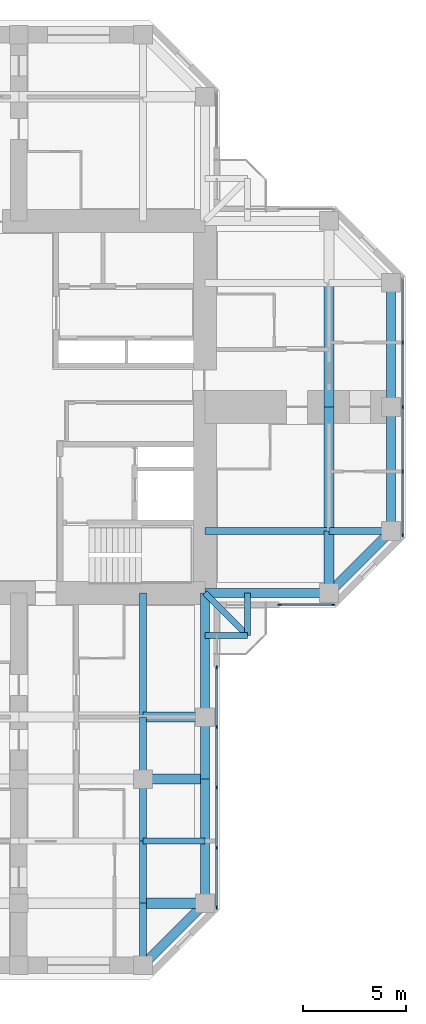
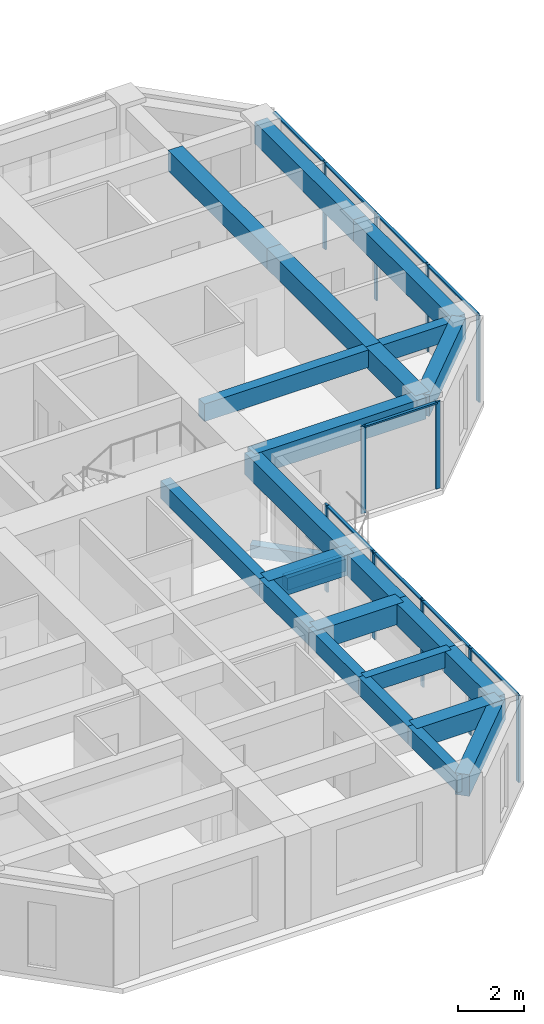
# One storey, part 4 of 14: 26 beams, 20 members, 3 elements without a shape of their own.
"""IFC4 building model written with IfcOpenShell, lengths in metres."""

from ifc_helpers import new_model, si_unit, direction, frame, origin, origin_2d, place, context, subcontext, project, spatial, rectangle, extrude, material, material_profile, profile_set, type_object, element, aggregate, save


model = new_model("IFC4")

# Units and contexts
model_context = context("Model", 3, precision=1e-05, world=origin(), true_north=direction((0.0, 1.0)))
body_context = subcontext(model_context, "Body", "Model", "MODEL_VIEW")
ifc_project = project(units=[si_unit("LENGTHUNIT", "METRE"), si_unit("AREAUNIT", "SQUARE_METRE"), si_unit("VOLUMEUNIT", "CUBIC_METRE"), si_unit("PLANEANGLEUNIT", "RADIAN"), si_unit("MASSUNIT", "GRAM", prefix="KILO")], contexts=[model_context])

# Site, building, storey
site_placement = place(None, origin())
site = spatial("IfcSite", under=ifc_project, at=site_placement, CompositionType="ELEMENT")
building_placement = place(site_placement, origin())
building = spatial("IfcBuilding", under=site, at=building_placement, Name="Torre Cruceta", CompositionType="ELEMENT")
storey_placement = place(building_placement, frame((0.0, 0.0, 172.89990234375)))
storey = spatial("IfcBuildingStorey", under=building, at=storey_placement, Name="L42", CompositionType="ELEMENT", Elevation=172.89990234375)

# Beams
ifc_material_1 = material(Name="Concrete G60 (fck 60 MPa)", Category="concrete")
ifc_material_profile_1 = material_profile(ifc_material_1, rectangle(XDim=0.300048828125, YDim=0.449951171875, at=origin_2d()), Name="RC 300X450")
ifc_profile_set_1 = profile_set([ifc_material_profile_1], Name="Concrete G60 (fck 60 MPa)")
beam_type_1 = type_object("IfcBeamType", Name="BALCONY CANTILEVER BEAM RC 300X450", PredefinedType="BEAM", material=ifc_profile_set_1)
beam_1_placement = place(storey_placement, frame((9.0, -9.0, -0.40478515625), z_axis=(0.707106781187, -0.707106781187, 0.0), x_axis=(0.707106781187, 0.707106781187, 0.0)))
element("IfcBeam", 1, at=beam_1_placement, inside=storey, type_object=beam_type_1, Name="BB1 balcony beam L42 S", PredefinedType="BEAM", context=body_context, shape_type="SweptSolid", body=[
    extrude(rectangle(XDim=0.300048828125, YDim=0.449951171875, at=origin_2d()), origin(), (0.0, 0.0, 1.0), 2.89990234375),
])
for number, where, z_axis, x_axis, name in (
    (2, (11.050537109375, -9.0, -0.40478515625), (0.0, -1.0, 0.0), (1.0, 0.0, 0.0), "BB1 balcony edge beam L42 S-X"),
    (3, (9.0, -11.050537109375, -0.40478515625), (1.0, 0.0, 0.0), (0.0, 1.0, 0.0), "BB1 balcony edge beam L42 S-Y"),
):
    element("IfcBeam", number, at=place(storey_placement, frame(where, z_axis=z_axis, x_axis=x_axis)), inside=storey, type_object=beam_type_1, Name=name, PredefinedType="BEAM", context=body_context, shape_type="SweptSolid", body=[
        extrude(rectangle(XDim=0.300048828125, YDim=0.449951171875, at=origin_2d()), origin(), (0.0, 0.0, 1.0), 2.050537109375),
    ])
ifc_material_2 = material(Name="Concrete G60 (fck 60 MPa)", Category="concrete")
ifc_material_profile_2 = material_profile(ifc_material_2, rectangle(XDim=0.35009765625, YDim=0.64990234375, at=origin_2d()), Name="RC 350X650")
ifc_profile_set_2 = profile_set([ifc_material_profile_2], Name="Concrete G60 (fck 60 MPa)")
beam_type_2 = type_object("IfcBeamType", Name="COLUMN LINE BEAM RC 350X650", PredefinedType="BEAM", material=ifc_profile_set_2)
beam_2_placement = place(storey_placement, frame((9.0, -6.0, 2.89501953125), z_axis=(1.0, 0.0, 0.0), x_axis=(0.0, 1.0, 0.0)))
element("IfcBeam", 4, at=beam_2_placement, inside=storey, type_object=beam_type_2, Name="LB7 L42 E col- 1", PredefinedType="BEAM", context=body_context, shape_type="SweptSolid", body=[
    extrude(rectangle(XDim=0.35009765625, YDim=0.64990234375, at=origin_2d()), origin(), (0.0, 0.0, 1.0), 6.0),
])
beam_3_placement = place(storey_placement, frame((15.0, -6.0, 2.89501953125), z_axis=(1.0, 0.0, 0.0), x_axis=(0.0, 1.0, 0.0)))
element("IfcBeam", 5, at=beam_3_placement, inside=storey, type_object=beam_type_2, Name="LB7 L42 E col- 2", PredefinedType="BEAM", context=body_context, shape_type="SweptSolid", body=[
    extrude(rectangle(XDim=0.35009765625, YDim=0.64990234375, at=origin_2d()), origin(), (0.0, 0.0, 1.0), 3.0),
])
beam_4_placement = place(storey_placement, frame((6.0, -9.0, 2.89501953125), z_axis=(0.0, -1.0, 0.0), x_axis=(1.0, 0.0, 0.0)))
element("IfcBeam", 6, at=beam_4_placement, inside=storey, type_object=beam_type_2, Name="LB7 L42 S col+ 1", PredefinedType="BEAM", context=body_context, shape_type="SweptSolid", body=[
    extrude(rectangle(XDim=0.35009765625, YDim=0.64990234375, at=origin_2d()), origin(), (0.0, 0.0, 1.0), 6.0),
])
for number, where, z_axis, x_axis, name in (
    (7, (6.0, -15.0, 2.89501953125), (0.0, -1.0, 0.0), (1.0, 0.0, 0.0), "LB7 L42 S col+ 2"),
    (8, (6.0, -18.0, 2.89501953125), (0.0, -1.0, 0.0), (1.0, 0.0, 0.0), "LB7 L42 S col+ 3"),
    (9, (6.0, -21.0, 2.89501953125), (0.0, -1.0, 0.0), (1.0, 0.0, 0.0), "LB7 L42 S col+ 4"),
    (10, (6.0, -24.0, 2.89501953125), (0.0, -1.0, 0.0), (1.0, 0.0, 0.0), "LB7 L42 S col+ 5"),
):
    element("IfcBeam", number, at=place(storey_placement, frame(where, z_axis=z_axis, x_axis=x_axis)), inside=storey, type_object=beam_type_2, Name=name, PredefinedType="BEAM", context=body_context, shape_type="SweptSolid", body=[
        extrude(rectangle(XDim=0.35009765625, YDim=0.64990234375, at=origin_2d()), origin(), (0.0, 0.0, 1.0), 3.0),
    ])
ifc_material_3 = material(Name="Concrete G60 (fck 60 MPa)", Category="concrete")
ifc_material_profile_3 = material_profile(ifc_material_3, rectangle(XDim=0.5, YDim=0.75, at=origin_2d()), Name="RC 500X750")
ifc_profile_set_3 = profile_set([ifc_material_profile_3], Name="Concrete G60 (fck 60 MPa)")
beam_type_3 = type_object("IfcBeamType", Name="CROSS BEAM RC 500X750", PredefinedType="BEAM", material=ifc_profile_set_3)
beam_5_placement = place(storey_placement, frame((15.0, -9.0, 2.84521484375), z_axis=(0.0, 1.0, 0.0), x_axis=(-1.0, 0.0, 0.0)))
element("IfcBeam", 11, at=beam_5_placement, inside=storey, type_object=beam_type_3, Name="GB6 L42 E cross15 1", PredefinedType="BEAM", context=body_context, shape_type="SweptSolid", body=[
    extrude(rectangle(XDim=0.5, YDim=0.75, at=origin_2d()), origin(), (0.0, 0.0, 1.0), 3.0),
])
for number, where, z_axis, x_axis, name in (
    (12, (15.0, -6.0, 2.84521484375), (0.0, 1.0, 0.0), (-1.0, 0.0, 0.0), "GB6 L42 E cross15 2"),
    (13, (15.0, 0.0, 2.84521484375), (0.0, 1.0, 0.0), (-1.0, 0.0, 0.0), "GB6 L42 E cross15 3"),
):
    element("IfcBeam", number, at=place(storey_placement, frame(where, z_axis=z_axis, x_axis=x_axis)), inside=storey, type_object=beam_type_3, Name=name, PredefinedType="BEAM", context=body_context, shape_type="SweptSolid", body=[
        extrude(rectangle(XDim=0.5, YDim=0.75, at=origin_2d()), origin(), (0.0, 0.0, 1.0), 6.0),
    ])
for number, where, z_axis, x_axis, name in (
    (14, (6.0, -15.0, 2.84521484375), (1.0, 0.0, 0.0), (0.0, 1.0, 0.0), "GB6 L42 S cross15 4"),
    (15, (6.0, -18.0, 2.84521484375), (1.0, 0.0, 0.0), (0.0, 1.0, 0.0), "GB6 L42 S cross18 4"),
    (16, (6.0, -24.0, 2.84521484375), (1.0, 0.0, 0.0), (0.0, 1.0, 0.0), "GB6 L42 S cross24 4"),
):
    element("IfcBeam", number, at=place(storey_placement, frame(where, z_axis=z_axis, x_axis=x_axis)), inside=storey, type_object=beam_type_3, Name=name, PredefinedType="BEAM", context=body_context, shape_type="SweptSolid", body=[
        extrude(rectangle(XDim=0.5, YDim=0.75, at=origin_2d()), origin(), (0.0, 0.0, 1.0), 3.0),
    ])

# Curtain wall, members
ifc_material_4 = material(Name="Aluminium unitised curtain wall", Category="aluminium")
curtain_wall_type = type_object("IfcCurtainWallType", Name="CURTAIN WALL CW-C CO-LIVING", PredefinedType="USERDEFINED", material=ifc_material_4)
curtain_wall_1_placement = place(storey_placement, origin())
curtain_wall_1 = element("IfcCurtainWall", 17, at=curtain_wall_1_placement, inside=storey, type_object=curtain_wall_type, Name="CW-C L42 E side 00", ObjectType="UNITISED", PredefinedType="USERDEFINED")
ifc_material_5 = material(Name="Aluminium mullion", Category="aluminium")
ifc_material_profile_4 = material_profile(ifc_material_5, rectangle(XDim=0.06005859375, YDim=0.159912109375, at=origin_2d()), Name="AL 60X160")
ifc_profile_set_4 = profile_set([ifc_material_profile_4], Name="Aluminium mullion")
member_type_1 = type_object("IfcMemberType", Name="CW-C MULLION 60X160", PredefinedType="MULLION", material=ifc_profile_set_4)
member_1_placement = place(storey_placement, frame((12.60009765625, -9.570068359375, 0.0), z_axis=(0.0, 0.0, 1.0), x_axis=(0.0, 1.0, 0.0)))
member_1 = element("IfcMember", 18, at=member_1_placement, type_object=member_type_1, Name="CW-C mullion 1", PredefinedType="MULLION", context=body_context, shape_type="SweptSolid", body=[
    extrude(rectangle(XDim=0.06005859375, YDim=0.159912109375, at=origin_2d()), origin(), (0.0, 0.0, 1.0), 3.22021484375),
])
member_2_placement = place(storey_placement, frame((15.2060546875, -9.570068359375, 0.0), z_axis=(0.0, 0.0, 1.0), x_axis=(0.0, 1.0, 0.0)))
member_2 = element("IfcMember", 19, at=member_2_placement, type_object=member_type_1, Name="CW-C mullion 2", PredefinedType="MULLION", context=body_context, shape_type="SweptSolid", body=[
    extrude(rectangle(XDim=0.06005859375, YDim=0.159912109375, at=origin_2d()), origin(), (0.0, 0.0, 1.0), 3.22021484375),
])

curtain_wall_2_placement = place(storey_placement, origin())
curtain_wall_2 = element("IfcCurtainWall", 20, at=curtain_wall_2_placement, inside=storey, type_object=curtain_wall_type, Name="CW-C L42 E tip 02", ObjectType="UNITISED", PredefinedType="USERDEFINED")
member_3_placement = place(storey_placement, frame((18.570068359375, -6.2060546875, 0.0), z_axis=(0.0, 0.0, 1.0), x_axis=(-1.0, 0.0, 0.0)))
member_3 = element("IfcMember", 21, at=member_3_placement, type_object=member_type_1, Name="CW-C mullion 1", PredefinedType="MULLION", context=body_context, shape_type="SweptSolid", body=[
    extrude(rectangle(XDim=0.06005859375, YDim=0.159912109375, at=origin_2d()), origin(), (0.0, 0.0, 1.0), 3.22021484375),
])
member_4_placement = place(storey_placement, frame((18.570068359375, -3.1181640625, 0.0), z_axis=(0.0, 0.0, 1.0), x_axis=(-1.0, 0.0, 0.0)))
member_4 = element("IfcMember", 22, at=member_4_placement, type_object=member_type_1, Name="CW-C mullion 2", PredefinedType="MULLION", context=body_context, shape_type="SweptSolid", body=[
    extrude(rectangle(XDim=0.06005859375, YDim=0.159912109375, at=origin_2d()), origin(), (0.0, 0.0, 1.0), 3.22021484375),
])
member_5_placement = place(storey_placement, frame((18.570068359375, 0.0, 0.0), z_axis=(0.0, 0.0, 1.0), x_axis=(-1.0, 0.0, 0.0)))
member_5 = element("IfcMember", 23, at=member_5_placement, type_object=member_type_1, Name="CW-C mullion 3", PredefinedType="MULLION", context=body_context, shape_type="SweptSolid", body=[
    extrude(rectangle(XDim=0.06005859375, YDim=0.159912109375, at=origin_2d()), origin(), (0.0, 0.0, 1.0), 3.22021484375),
])
member_6_placement = place(storey_placement, frame((18.570068359375, 3.1181640625, 0.0), z_axis=(0.0, 0.0, 1.0), x_axis=(-1.0, 0.0, 0.0)))
member_6 = element("IfcMember", 24, at=member_6_placement, type_object=member_type_1, Name="CW-C mullion 4", PredefinedType="MULLION", context=body_context, shape_type="SweptSolid", body=[
    extrude(rectangle(XDim=0.06005859375, YDim=0.159912109375, at=origin_2d()), origin(), (0.0, 0.0, 1.0), 3.22021484375),
])

curtain_wall_3_placement = place(storey_placement, origin())
curtain_wall_3 = element("IfcCurtainWall", 25, at=curtain_wall_3_placement, inside=storey, type_object=curtain_wall_type, Name="CW-C L42 S side 19", ObjectType="UNITISED", PredefinedType="USERDEFINED")
member_7_placement = place(storey_placement, frame((9.570068359375, -24.2060546875, 0.0), z_axis=(0.0, 0.0, 1.0), x_axis=(-1.0, 0.0, 0.0)))
member_7 = element("IfcMember", 26, at=member_7_placement, type_object=member_type_1, Name="CW-C mullion 1", PredefinedType="MULLION", context=body_context, shape_type="SweptSolid", body=[
    extrude(rectangle(XDim=0.06005859375, YDim=0.159912109375, at=origin_2d()), origin(), (0.0, 0.0, 1.0), 3.22021484375),
])
member_8_placement = place(storey_placement, frame((9.570068359375, -21.319580078125, 0.0), z_axis=(0.0, 0.0, 1.0), x_axis=(-1.0, 0.0, 0.0)))
member_8 = element("IfcMember", 27, at=member_8_placement, type_object=member_type_1, Name="CW-C mullion 2", PredefinedType="MULLION", context=body_context, shape_type="SweptSolid", body=[
    extrude(rectangle(XDim=0.06005859375, YDim=0.159912109375, at=origin_2d()), origin(), (0.0, 0.0, 1.0), 3.22021484375),
])
member_9_placement = place(storey_placement, frame((9.570068359375, -18.403076171875, 0.0), z_axis=(0.0, 0.0, 1.0), x_axis=(-1.0, 0.0, 0.0)))
member_9 = element("IfcMember", 28, at=member_9_placement, type_object=member_type_1, Name="CW-C mullion 3", PredefinedType="MULLION", context=body_context, shape_type="SweptSolid", body=[
    extrude(rectangle(XDim=0.06005859375, YDim=0.159912109375, at=origin_2d()), origin(), (0.0, 0.0, 1.0), 3.22021484375),
])
member_10_placement = place(storey_placement, frame((9.570068359375, -15.486572265625, 0.0), z_axis=(0.0, 0.0, 1.0), x_axis=(-1.0, 0.0, 0.0)))
member_10 = element("IfcMember", 29, at=member_10_placement, type_object=member_type_1, Name="CW-C mullion 4", PredefinedType="MULLION", context=body_context, shape_type="SweptSolid", body=[
    extrude(rectangle(XDim=0.06005859375, YDim=0.159912109375, at=origin_2d()), origin(), (0.0, 0.0, 1.0), 3.22021484375),
])
member_11_placement = place(storey_placement, frame((9.570068359375, -12.60009765625, 0.0), z_axis=(0.0, 0.0, 1.0), x_axis=(-1.0, 0.0, 0.0)))
member_11 = element("IfcMember", 30, at=member_11_placement, type_object=member_type_1, Name="CW-C mullion 5", PredefinedType="MULLION", context=body_context, shape_type="SweptSolid", body=[
    extrude(rectangle(XDim=0.06005859375, YDim=0.159912109375, at=origin_2d()), origin(), (0.0, 0.0, 1.0), 3.22021484375),
])

# Member
ifc_material_6 = material(Name="Aluminium transom", Category="aluminium")
ifc_material_profile_5 = material_profile(ifc_material_6, rectangle(XDim=0.10009765625, YDim=0.06005859375, at=origin_2d()), Name="AL 100X60")
ifc_profile_set_5 = profile_set([ifc_material_profile_5], Name="Aluminium transom")
member_type_2 = type_object("IfcMemberType", Name="CW-C TRANSOM 60X100", PredefinedType="USERDEFINED", material=ifc_profile_set_5)
member_12_placement = place(storey_placement, frame((12.6298828125, -9.570068359375, 3.190185546875), z_axis=(1.0, 0.0, 0.0), x_axis=(0.0, 1.0, 0.0)))
member_12 = element("IfcMember", 31, at=member_12_placement, type_object=member_type_2, Name="CW-C transom 1", ObjectType="TRANSOM", PredefinedType="USERDEFINED", context=body_context, shape_type="SweptSolid", body=[
    extrude(rectangle(XDim=0.10009765625, YDim=0.06005859375, at=origin_2d()), origin(), (0.0, 0.0, 1.0), 2.546142578125),
])

aggregate(curtain_wall_1, [member_1, member_2, member_12])

member_13_placement = place(storey_placement, frame((18.570068359375, -6.176025390625, 3.190185546875), z_axis=(0.0, 1.0, 0.0), x_axis=(-1.0, 0.0, 0.0)))
member_13 = element("IfcMember", 32, at=member_13_placement, type_object=member_type_2, Name="CW-C transom 1", ObjectType="TRANSOM", PredefinedType="USERDEFINED", context=body_context, shape_type="SweptSolid", body=[
    extrude(rectangle(XDim=0.10009765625, YDim=0.06005859375, at=origin_2d()), origin(), (0.0, 0.0, 1.0), 3.028076171875),
])

member_14_placement = place(storey_placement, frame((18.570068359375, -3.088134765625, 3.190185546875), z_axis=(0.0, 1.0, 0.0), x_axis=(-1.0, 0.0, 0.0)))
member_14 = element("IfcMember", 33, at=member_14_placement, type_object=member_type_2, Name="CW-C transom 2", ObjectType="TRANSOM", PredefinedType="USERDEFINED", context=body_context, shape_type="SweptSolid", body=[
    extrude(rectangle(XDim=0.10009765625, YDim=0.06005859375, at=origin_2d()), origin(), (0.0, 0.0, 1.0), 3.05810546875),
])

member_15_placement = place(storey_placement, frame((18.570068359375, 0.030029296875, 3.190185546875), z_axis=(0.0, 1.0, 0.0), x_axis=(-1.0, 0.0, 0.0)))
member_15 = element("IfcMember", 34, at=member_15_placement, type_object=member_type_2, Name="CW-C transom 3", ObjectType="TRANSOM", PredefinedType="USERDEFINED", context=body_context, shape_type="SweptSolid", body=[
    extrude(rectangle(XDim=0.10009765625, YDim=0.06005859375, at=origin_2d()), origin(), (0.0, 0.0, 1.0), 3.05810546875),
])

member_16_placement = place(storey_placement, frame((18.570068359375, 3.14794921875, 3.190185546875), z_axis=(0.0, 1.0, 0.0), x_axis=(-1.0, 0.0, 0.0)))
member_16 = element("IfcMember", 35, at=member_16_placement, type_object=member_type_2, Name="CW-C transom 4", ObjectType="TRANSOM", PredefinedType="USERDEFINED", context=body_context, shape_type="SweptSolid", body=[
    extrude(rectangle(XDim=0.10009765625, YDim=0.06005859375, at=origin_2d()), origin(), (0.0, 0.0, 1.0), 3.028076171875),
])

aggregate(curtain_wall_2, [member_3, member_4, member_5, member_6, member_13, member_14, member_15, member_16])

member_17_placement = place(storey_placement, frame((9.570068359375, -24.176025390625, 3.190185546875), z_axis=(0.0, 1.0, 0.0), x_axis=(-1.0, 0.0, 0.0)))
member_17 = element("IfcMember", 36, at=member_17_placement, type_object=member_type_2, Name="CW-C transom 1", ObjectType="TRANSOM", PredefinedType="USERDEFINED", context=body_context, shape_type="SweptSolid", body=[
    extrude(rectangle(XDim=0.10009765625, YDim=0.06005859375, at=origin_2d()), origin(), (0.0, 0.0, 1.0), 2.826416015625),
])

member_18_placement = place(storey_placement, frame((9.570068359375, -21.28955078125, 3.190185546875), z_axis=(0.0, 1.0, 0.0), x_axis=(-1.0, 0.0, 0.0)))
member_18 = element("IfcMember", 37, at=member_18_placement, type_object=member_type_2, Name="CW-C transom 2", ObjectType="TRANSOM", PredefinedType="USERDEFINED", context=body_context, shape_type="SweptSolid", body=[
    extrude(rectangle(XDim=0.10009765625, YDim=0.06005859375, at=origin_2d()), origin(), (0.0, 0.0, 1.0), 2.8564453125),
])

member_19_placement = place(storey_placement, frame((9.570068359375, -18.373046875, 3.190185546875), z_axis=(0.0, 1.0, 0.0), x_axis=(-1.0, 0.0, 0.0)))
member_19 = element("IfcMember", 38, at=member_19_placement, type_object=member_type_2, Name="CW-C transom 3", ObjectType="TRANSOM", PredefinedType="USERDEFINED", context=body_context, shape_type="SweptSolid", body=[
    extrude(rectangle(XDim=0.10009765625, YDim=0.06005859375, at=origin_2d()), origin(), (0.0, 0.0, 1.0), 2.8564453125),
])

member_20_placement = place(storey_placement, frame((9.570068359375, -15.45654296875, 3.190185546875), z_axis=(0.0, 1.0, 0.0), x_axis=(-1.0, 0.0, 0.0)))
member_20 = element("IfcMember", 39, at=member_20_placement, type_object=member_type_2, Name="CW-C transom 4", ObjectType="TRANSOM", PredefinedType="USERDEFINED", context=body_context, shape_type="SweptSolid", body=[
    extrude(rectangle(XDim=0.10009765625, YDim=0.06005859375, at=origin_2d()), origin(), (0.0, 0.0, 1.0), 2.82666015625),
])

aggregate(curtain_wall_3, [member_7, member_8, member_9, member_10, member_11, member_17, member_18, member_19, member_20])

# Beams
ifc_material_7 = material(Name="Concrete G60 (fck 60 MPa)", Category="concrete")
ifc_material_profile_6 = material_profile(ifc_material_7, rectangle(XDim=0.300048828125, YDim=0.60009765625, at=origin_2d()), Name="RC 300X600")
ifc_profile_set_6 = profile_set([ifc_material_profile_6], Name="Concrete G60 (fck 60 MPa)")
beam_type_4 = type_object("IfcBeamType", Name="SECONDARY BEAM RC 300X600", PredefinedType="JOIST", material=ifc_profile_set_6)
beam_6_placement = place(storey_placement, frame((6.0, -21.0, 2.920166015625), z_axis=(1.0, 0.0, 0.0), x_axis=(0.0, 1.0, 0.0)))
element("IfcBeam", 40, at=beam_6_placement, inside=storey, type_object=beam_type_4, Name="JB6 L42 S sec21 4", PredefinedType="JOIST", context=body_context, shape_type="SweptSolid", body=[
    extrude(rectangle(XDim=0.300048828125, YDim=0.60009765625, at=origin_2d()), origin(), (0.0, 0.0, 1.0), 3.0),
])
ifc_material_8 = material(Name="Concrete G60 (fck 60 MPa)", Category="concrete")
ifc_material_profile_7 = material_profile(ifc_material_8, rectangle(XDim=0.449951171875, YDim=0.800048828125, at=origin_2d()), Name="RC 450X800")
ifc_profile_set_7 = profile_set([ifc_material_profile_7], Name="Concrete G60 (fck 60 MPa)")
beam_type_5 = type_object("IfcBeamType", Name="SPANDREL BEAM RC 450X800", PredefinedType="SPANDREL", material=ifc_profile_set_7)
beam_7_placement = place(storey_placement, frame((9.0, -9.0, 2.820068359375), z_axis=(1.0, 0.0, 0.0), x_axis=(0.0, 1.0, 0.0)))
element("IfcBeam", 41, at=beam_7_placement, inside=storey, type_object=beam_type_5, Name="SB6 L42 E side- 1", PredefinedType="SPANDREL", context=body_context, shape_type="SweptSolid", body=[
    extrude(rectangle(XDim=0.449951171875, YDim=0.800048828125, at=origin_2d()), origin(), (0.0, 0.0, 1.0), 6.0),
])
beam_8_placement = place(storey_placement, frame((15.0, -9.0, 2.820068359375), z_axis=(0.707106781187, 0.707106781187, 0.0), x_axis=(-0.707106781187, 0.707106781187, 0.0)))
element("IfcBeam", 42, at=beam_8_placement, inside=storey, type_object=beam_type_5, Name="SB6 L42 E side- 2", PredefinedType="SPANDREL", context=body_context, shape_type="SweptSolid", body=[
    extrude(rectangle(XDim=0.449951171875, YDim=0.800048828125, at=origin_2d()), origin(), (0.0, 0.0, 1.0), 4.24267578125),
])
for number, where, z_axis, x_axis, name in (
    (43, (18.0, -6.0, 2.820068359375), (0.0, 1.0, 0.0), (-1.0, 0.0, 0.0), "SB6 L42 E tip 1"),
    (44, (18.0, 0.0, 2.820068359375), (0.0, 1.0, 0.0), (-1.0, 0.0, 0.0), "SB6 L42 E tip 2"),
    (45, (9.0, -9.0, 2.820068359375), (0.0, -1.0, 0.0), (1.0, 0.0, 0.0), "SB6 L42 S side+ 1"),
):
    element("IfcBeam", number, at=place(storey_placement, frame(where, z_axis=z_axis, x_axis=x_axis)), inside=storey, type_object=beam_type_5, Name=name, PredefinedType="SPANDREL", context=body_context, shape_type="SweptSolid", body=[
        extrude(rectangle(XDim=0.449951171875, YDim=0.800048828125, at=origin_2d()), origin(), (0.0, 0.0, 1.0), 6.0),
    ])
for number, where, z_axis, x_axis, name in (
    (46, (9.0, -15.0, 2.820068359375), (0.0, -1.0, 0.0), (1.0, 0.0, 0.0), "SB6 L42 S side+ 2"),
    (47, (9.0, -18.0, 2.820068359375), (0.0, -1.0, 0.0), (1.0, 0.0, 0.0), "SB6 L42 S side+ 3"),
    (48, (9.0, -21.0, 2.820068359375), (0.0, -1.0, 0.0), (1.0, 0.0, 0.0), "SB6 L42 S side+ 4"),
):
    element("IfcBeam", number, at=place(storey_placement, frame(where, z_axis=z_axis, x_axis=x_axis)), inside=storey, type_object=beam_type_5, Name=name, PredefinedType="SPANDREL", context=body_context, shape_type="SweptSolid", body=[
        extrude(rectangle(XDim=0.449951171875, YDim=0.800048828125, at=origin_2d()), origin(), (0.0, 0.0, 1.0), 3.0),
    ])
beam_9_placement = place(storey_placement, frame((9.0, -24.0, 2.820068359375), z_axis=(-0.707106781187, -0.707106781187, 0.0), x_axis=(0.707106781187, -0.707106781187, 0.0)))
element("IfcBeam", 49, at=beam_9_placement, inside=storey, type_object=beam_type_5, Name="SB6 L42 S side+ 5", PredefinedType="SPANDREL", context=body_context, shape_type="SweptSolid", body=[
    extrude(rectangle(XDim=0.449951171875, YDim=0.800048828125, at=origin_2d()), origin(), (0.0, 0.0, 1.0), 4.24267578125),
])

save(model, "model.ifc")
